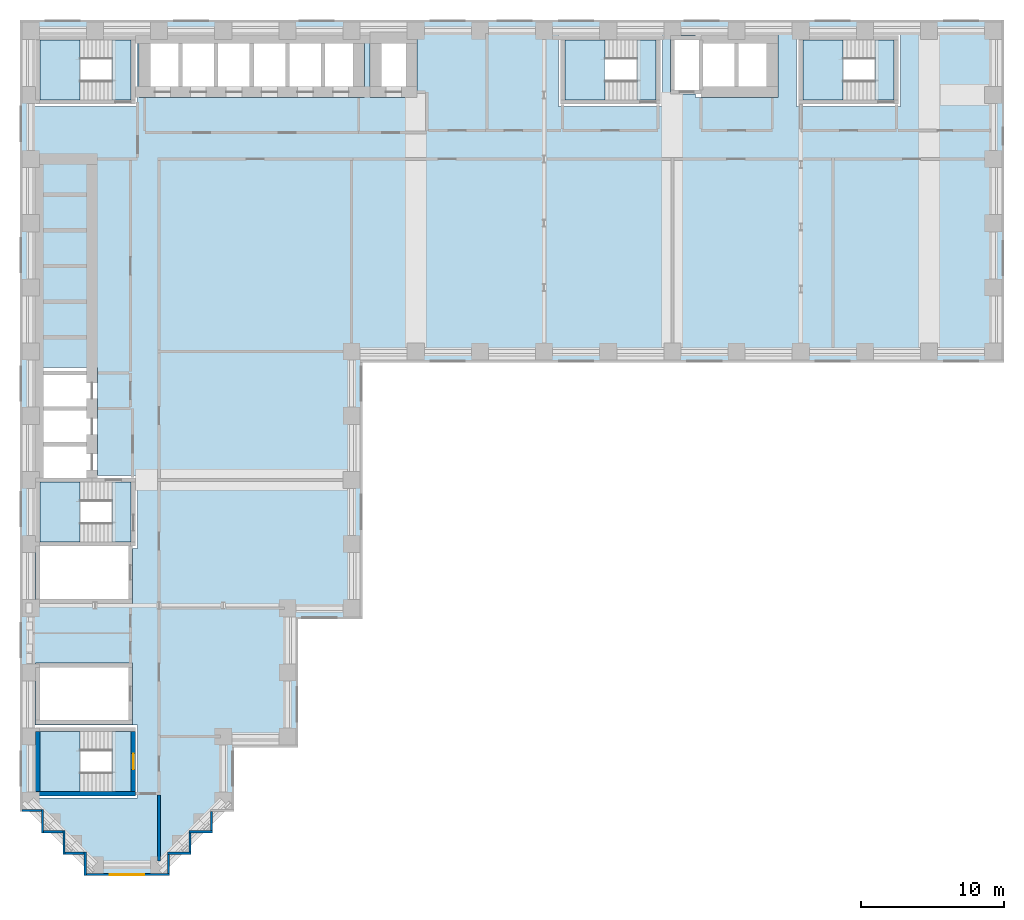
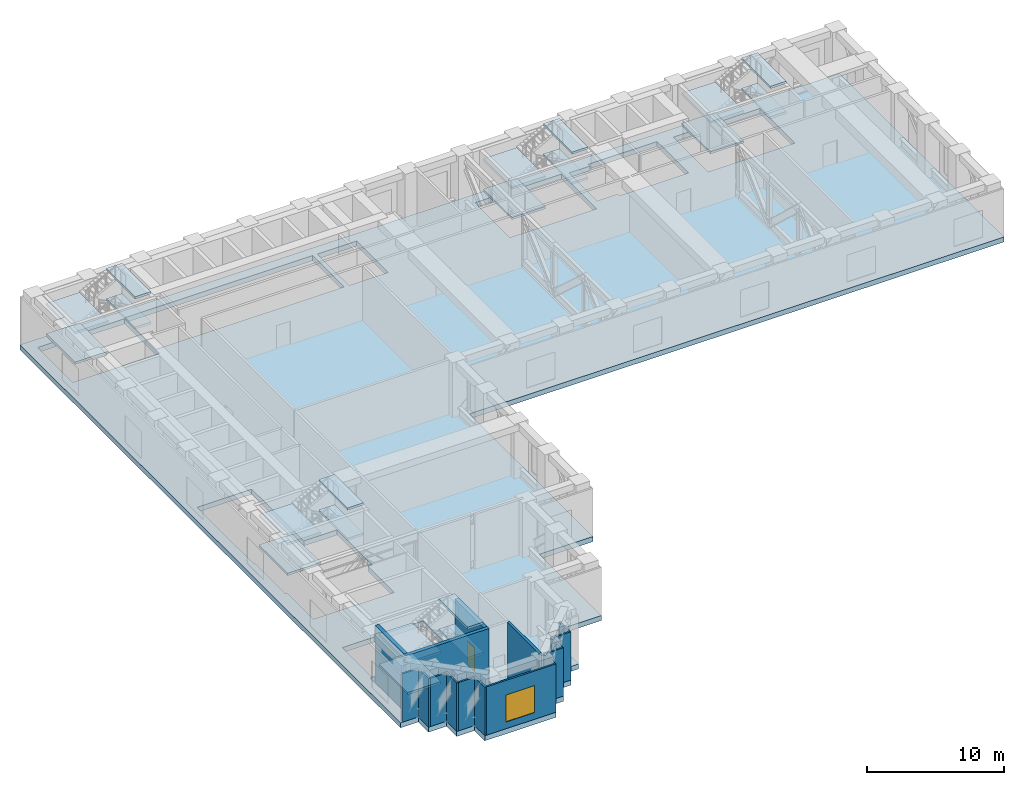
# One storey, part 4 of 13: 21 slabs, 16 walls, 1 door, 1 window, 2 openings, 5 elements without a shape of their own.
"""IFC4 building model written with IfcOpenShell, lengths in metres."""

from ifc_helpers import new_model, si_unit, direction, frame, frame_2d, origin, place, context, subcontext, project, spatial, polyline, rectangle, outline, extrude, material, layer, layer_set, type_object, element, fill, aggregate, save


model = new_model("IFC4")

# Units and contexts
model_context = context("Model", 3, precision=1e-05, world=origin(), true_north=direction((0.0, 1.0)))
body_context = subcontext(model_context, "Body", "Model", "MODEL_VIEW")
ifc_project = project(units=[si_unit("LENGTHUNIT", "METRE"), si_unit("AREAUNIT", "SQUARE_METRE"), si_unit("VOLUMEUNIT", "CUBIC_METRE"), si_unit("PLANEANGLEUNIT", "RADIAN"), si_unit("MASSUNIT", "GRAM", prefix="KILO")], contexts=[model_context])

# Site, building, storey
site_placement = place(None, origin())
site = spatial("IfcSite", under=ifc_project, at=site_placement, CompositionType="ELEMENT")
building_placement = place(site_placement, origin())
building = spatial("IfcBuilding", under=site, at=building_placement, Name="Firuza Court", CompositionType="ELEMENT")
storey_placement = place(building_placement, frame((0.0, 0.0, 108.199951171875)))
storey = spatial("IfcBuildingStorey", under=building, at=storey_placement, Name="L27", CompositionType="ELEMENT", Elevation=108.199951171875)

# Slab
ifc_material_1 = material(Name="Concrete C40/50", Category="concrete")
ifc_layer_1 = layer(ifc_material_1, 0.449951171875)
ifc_layer_set_1 = layer_set([ifc_layer_1], Name="Concrete C40/50")
slab_type_1 = type_object("IfcSlabType", Name="Floor slab 450 C40/50", PredefinedType="FLOOR", material=ifc_layer_set_1)
slab_1_placement = place(storey_placement, frame((0.0, 0.0, -0.449951171875)))
element("IfcSlab", 1, at=slab_1_placement, inside=storey, type_object=slab_type_1, Name="Floor slab L27", PredefinedType="FLOOR", context=body_context, shape_type="SweptSolid", body=[
    extrude(outline(polyline([(3.75, -0.75), (3.75, 0.75), (2.25, 0.75), (2.25, 2.25), (0.75, 2.25), (0.75, 3.75), (-0.75, 3.75), (-0.75, 59.25), (68.25, 59.25), (68.25, 35.25), (23.25, 35.25), (23.25, 17.25), (18.75, 17.25), (18.75, 8.25), (14.25, 8.25), (14.25, 3.75), (12.75, 3.75), (12.75, 2.25), (11.25, 2.25), (11.25, 0.75), (9.75, 0.75), (9.75, -0.75), (3.75, -0.75)]), holes=[polyline([(7.5, 9.800048828125), (0.199951171875, 9.800048828125), (0.199951171875, 4.699951171875), (7.5, 4.699951171875), (7.5, 9.800048828125)]), polyline([(7.14990234375, 14.14990234375), (0.35009765625, 14.14990234375), (0.35009765625, 9.85009765625), (7.14990234375, 9.85009765625), (7.14990234375, 14.14990234375)]), polyline([(0.199951171875, 22.199951171875), (0.35009765625, 22.199951171875), (0.35009765625, 18.35009765625), (7.14990234375, 18.35009765625), (7.14990234375, 22.199951171875), (7.5, 22.199951171875), (7.5, 27.300048828125), (4.699951171875, 27.300048828125), (4.699951171875, 29.10009765625), (4.699951171875, 29.89990234375), (4.699951171875, 31.60009765625), (4.699951171875, 32.39990234375), (4.699951171875, 34.89990234375), (0.10009765625, 34.89990234375), (0.10009765625, 32.39990234375), (0.10009765625, 31.60009765625), (0.10009765625, 29.89990234375), (0.10009765625, 29.10009765625), (0.10009765625, 26.60009765625), (0.199951171875, 26.60009765625), (0.199951171875, 22.199951171875)]), polyline([(7.5, 58.300048828125), (0.199951171875, 58.300048828125), (0.199951171875, 53.199951171875), (7.5, 53.199951171875), (7.5, 58.300048828125)]), polyline([(10.10009765625, 58.39990234375), (7.60009765625, 58.39990234375), (7.60009765625, 53.800048828125), (10.10009765625, 53.800048828125), (10.89990234375, 53.800048828125), (12.60009765625, 53.800048828125), (13.39990234375, 53.800048828125), (15.10009765625, 53.800048828125), (15.89990234375, 53.800048828125), (17.60009765625, 53.800048828125), (18.39990234375, 53.800048828125), (20.10009765625, 53.800048828125), (20.89990234375, 53.800048828125), (23.39990234375, 53.800048828125), (23.39990234375, 58.39990234375), (20.89990234375, 58.39990234375), (20.10009765625, 58.39990234375), (18.39990234375, 58.39990234375), (17.60009765625, 58.39990234375), (15.89990234375, 58.39990234375), (15.10009765625, 58.39990234375), (13.39990234375, 58.39990234375), (12.60009765625, 58.39990234375), (10.89990234375, 58.39990234375), (10.10009765625, 58.39990234375)]), polyline([(44.300048828125, 58.300048828125), (37.0, 58.300048828125), (37.0, 53.199951171875), (44.300048828125, 53.199951171875), (44.300048828125, 58.300048828125)]), polyline([(61.0, 58.300048828125), (53.699951171875, 58.300048828125), (53.699951171875, 53.199951171875), (61.0, 53.199951171875), (61.0, 58.300048828125)]), polyline([(27.10009765625, 58.39990234375), (23.800048828125, 58.39990234375), (23.800048828125, 53.800048828125), (27.10009765625, 53.800048828125), (27.10009765625, 58.39990234375)]), polyline([(46.60009765625, 58.14990234375), (44.85009765625, 58.14990234375), (44.85009765625, 54.050048828125), (46.60009765625, 54.050048828125), (46.60009765625, 53.800048828125), (49.10009765625, 53.800048828125), (49.89990234375, 53.800048828125), (52.39990234375, 53.800048828125), (52.39990234375, 58.39990234375), (49.89990234375, 58.39990234375), (49.10009765625, 58.39990234375), (46.60009765625, 58.39990234375), (46.60009765625, 58.14990234375)])]), origin(), (0.0, 0.0, 1.0), 0.449951171875),
])

# Stair, slabs
ifc_material_2 = material(Name="Concrete C40/50 precast", Category="concrete")
stair_type = type_object("IfcStairType", Name="Stair 1350 x 5400 4 flights", PredefinedType="QUARTER_TURN_STAIR", material=ifc_material_2)
stair_1_placement = place(storey_placement, origin())
stair_1 = element("IfcStair", 2, at=stair_1_placement, inside=storey, type_object=stair_type, Name="Stair 1 L27", PredefinedType="QUARTER_TURN_STAIR")
ifc_material_3 = material(Name="Concrete C40/50 precast", Category="concrete")
ifc_layer_2 = layer(ifc_material_3, 0.199951171875)
ifc_layer_set_2 = layer_set([ifc_layer_2], Name="Concrete C40/50 precast")
slab_type_2 = type_object("IfcSlabType", Name="Stair landing 200", PredefinedType="LANDING", material=ifc_layer_set_2)
slab_2_placement = place(storey_placement, frame((0.0, 0.0, 1.150146484375)))
slab_2 = element("IfcSlab", 3, at=slab_2_placement, type_object=slab_type_2, Name="S1 landing 1", PredefinedType="LANDING", context=body_context, shape_type="SweptSolid", body=[
    extrude(outline(polyline([(40.260009765625, 53.64990234375), (40.260009765625, 57.85009765625), (37.449951171875, 57.85009765625), (37.449951171875, 53.64990234375), (40.260009765625, 53.64990234375)])), origin(), (0.0, 0.0, 1.0), 0.199951171875),
])
slab_3_placement = place(storey_placement, frame((0.0, 0.0, 2.5)))
slab_3 = element("IfcSlab", 4, at=slab_3_placement, type_object=slab_type_2, Name="S1 landing 2", PredefinedType="LANDING", context=body_context, shape_type="SweptSolid", body=[
    extrude(outline(polyline([(43.85009765625, 53.64990234375), (43.85009765625, 57.85009765625), (42.5, 57.85009765625), (42.5, 53.64990234375), (43.85009765625, 53.64990234375)])), origin(), (0.0, 0.0, 1.0), 0.199951171875),
])
slab_4_placement = place(storey_placement, frame((0.0, 0.0, 3.85009765625)))
slab_4 = element("IfcSlab", 5, at=slab_4_placement, type_object=slab_type_2, Name="S1 landing 3", PredefinedType="LANDING", context=body_context, shape_type="SweptSolid", body=[
    extrude(outline(polyline([(40.260009765625, 53.64990234375), (40.260009765625, 57.85009765625), (37.449951171875, 57.85009765625), (37.449951171875, 53.64990234375), (40.260009765625, 53.64990234375)])), origin(), (0.0, 0.0, 1.0), 0.199951171875),
])
slab_5_placement = place(storey_placement, frame((0.0, 0.0, 5.199951171875)))
slab_5 = element("IfcSlab", 6, at=slab_5_placement, type_object=slab_type_2, Name="S1 landing 4", PredefinedType="LANDING", context=body_context, shape_type="SweptSolid", body=[
    extrude(outline(polyline([(43.85009765625, 53.64990234375), (43.85009765625, 57.85009765625), (42.5, 57.85009765625), (42.5, 53.64990234375), (43.85009765625, 53.64990234375)])), origin(), (0.0, 0.0, 1.0), 0.2001953125),
])
aggregate(stair_1, [slab_2, slab_3, slab_4, slab_5])

stair_2_placement = place(storey_placement, origin())
stair_2 = element("IfcStair", 7, at=stair_2_placement, inside=storey, type_object=stair_type, Name="Stair 2 L27", PredefinedType="QUARTER_TURN_STAIR")
slab_6_placement = place(storey_placement, frame((0.0, 0.0, 1.150146484375)))
slab_6 = element("IfcSlab", 8, at=slab_6_placement, type_object=slab_type_2, Name="S2 landing 1", PredefinedType="LANDING", context=body_context, shape_type="SweptSolid", body=[
    extrude(outline(polyline([(3.4599609375, 22.64990234375), (3.4599609375, 26.85009765625), (0.64990234375, 26.85009765625), (0.64990234375, 22.64990234375), (3.4599609375, 22.64990234375)])), origin(), (0.0, 0.0, 1.0), 0.199951171875),
])
slab_7_placement = place(storey_placement, frame((0.0, 0.0, 2.5)))
slab_7 = element("IfcSlab", 9, at=slab_7_placement, type_object=slab_type_2, Name="S2 landing 2", PredefinedType="LANDING", context=body_context, shape_type="SweptSolid", body=[
    extrude(outline(polyline([(7.050048828125, 22.64990234375), (7.050048828125, 26.85009765625), (5.699951171875, 26.85009765625), (5.699951171875, 22.64990234375), (7.050048828125, 22.64990234375)])), origin(), (0.0, 0.0, 1.0), 0.199951171875),
])
slab_8_placement = place(storey_placement, frame((0.0, 0.0, 3.85009765625)))
slab_8 = element("IfcSlab", 10, at=slab_8_placement, type_object=slab_type_2, Name="S2 landing 3", PredefinedType="LANDING", context=body_context, shape_type="SweptSolid", body=[
    extrude(outline(polyline([(3.4599609375, 22.64990234375), (3.4599609375, 26.85009765625), (0.64990234375, 26.85009765625), (0.64990234375, 22.64990234375), (3.4599609375, 22.64990234375)])), origin(), (0.0, 0.0, 1.0), 0.199951171875),
])
slab_9_placement = place(storey_placement, frame((0.0, 0.0, 5.199951171875)))
slab_9 = element("IfcSlab", 11, at=slab_9_placement, type_object=slab_type_2, Name="S2 landing 4", PredefinedType="LANDING", context=body_context, shape_type="SweptSolid", body=[
    extrude(outline(polyline([(7.050048828125, 22.64990234375), (7.050048828125, 26.85009765625), (5.699951171875, 26.85009765625), (5.699951171875, 22.64990234375), (7.050048828125, 22.64990234375)])), origin(), (0.0, 0.0, 1.0), 0.2001953125),
])
aggregate(stair_2, [slab_6, slab_7, slab_8, slab_9])

stair_3_placement = place(storey_placement, origin())
stair_3 = element("IfcStair", 12, at=stair_3_placement, inside=storey, type_object=stair_type, Name="Stair 3 L27", PredefinedType="QUARTER_TURN_STAIR")
slab_10_placement = place(storey_placement, frame((0.0, 0.0, 1.150146484375)))
slab_10 = element("IfcSlab", 13, at=slab_10_placement, type_object=slab_type_2, Name="S3 landing 1", PredefinedType="LANDING", context=body_context, shape_type="SweptSolid", body=[
    extrude(outline(polyline([(3.4599609375, 53.64990234375), (3.4599609375, 57.85009765625), (0.64990234375, 57.85009765625), (0.64990234375, 53.64990234375), (3.4599609375, 53.64990234375)])), origin(), (0.0, 0.0, 1.0), 0.199951171875),
])
slab_11_placement = place(storey_placement, frame((0.0, 0.0, 2.5)))
slab_11 = element("IfcSlab", 14, at=slab_11_placement, type_object=slab_type_2, Name="S3 landing 2", PredefinedType="LANDING", context=body_context, shape_type="SweptSolid", body=[
    extrude(outline(polyline([(7.050048828125, 53.64990234375), (7.050048828125, 57.85009765625), (5.699951171875, 57.85009765625), (5.699951171875, 53.64990234375), (7.050048828125, 53.64990234375)])), origin(), (0.0, 0.0, 1.0), 0.199951171875),
])
slab_12_placement = place(storey_placement, frame((0.0, 0.0, 3.85009765625)))
slab_12 = element("IfcSlab", 15, at=slab_12_placement, type_object=slab_type_2, Name="S3 landing 3", PredefinedType="LANDING", context=body_context, shape_type="SweptSolid", body=[
    extrude(outline(polyline([(3.4599609375, 53.64990234375), (3.4599609375, 57.85009765625), (0.64990234375, 57.85009765625), (0.64990234375, 53.64990234375), (3.4599609375, 53.64990234375)])), origin(), (0.0, 0.0, 1.0), 0.199951171875),
])
slab_13_placement = place(storey_placement, frame((0.0, 0.0, 5.199951171875)))
slab_13 = element("IfcSlab", 16, at=slab_13_placement, type_object=slab_type_2, Name="S3 landing 4", PredefinedType="LANDING", context=body_context, shape_type="SweptSolid", body=[
    extrude(outline(polyline([(7.050048828125, 53.64990234375), (7.050048828125, 57.85009765625), (5.699951171875, 57.85009765625), (5.699951171875, 53.64990234375), (7.050048828125, 53.64990234375)])), origin(), (0.0, 0.0, 1.0), 0.2001953125),
])
aggregate(stair_3, [slab_10, slab_11, slab_12, slab_13])

stair_4_placement = place(storey_placement, origin())
stair_4 = element("IfcStair", 17, at=stair_4_placement, inside=storey, type_object=stair_type, Name="Stair 4 L27", PredefinedType="QUARTER_TURN_STAIR")
slab_14_placement = place(storey_placement, frame((0.0, 0.0, 1.150146484375)))
slab_14 = element("IfcSlab", 18, at=slab_14_placement, type_object=slab_type_2, Name="S4 landing 1", PredefinedType="LANDING", context=body_context, shape_type="SweptSolid", body=[
    extrude(outline(polyline([(56.9599609375, 53.64990234375), (56.9599609375, 57.85009765625), (54.14990234375, 57.85009765625), (54.14990234375, 53.64990234375), (56.9599609375, 53.64990234375)])), origin(), (0.0, 0.0, 1.0), 0.199951171875),
])
slab_15_placement = place(storey_placement, frame((0.0, 0.0, 2.5)))
slab_15 = element("IfcSlab", 19, at=slab_15_placement, type_object=slab_type_2, Name="S4 landing 2", PredefinedType="LANDING", context=body_context, shape_type="SweptSolid", body=[
    extrude(outline(polyline([(60.550048828125, 53.64990234375), (60.550048828125, 57.85009765625), (59.199951171875, 57.85009765625), (59.199951171875, 53.64990234375), (60.550048828125, 53.64990234375)])), origin(), (0.0, 0.0, 1.0), 0.199951171875),
])
slab_16_placement = place(storey_placement, frame((0.0, 0.0, 3.85009765625)))
slab_16 = element("IfcSlab", 20, at=slab_16_placement, type_object=slab_type_2, Name="S4 landing 3", PredefinedType="LANDING", context=body_context, shape_type="SweptSolid", body=[
    extrude(outline(polyline([(56.9599609375, 53.64990234375), (56.9599609375, 57.85009765625), (54.14990234375, 57.85009765625), (54.14990234375, 53.64990234375), (56.9599609375, 53.64990234375)])), origin(), (0.0, 0.0, 1.0), 0.199951171875),
])
slab_17_placement = place(storey_placement, frame((0.0, 0.0, 5.199951171875)))
slab_17 = element("IfcSlab", 21, at=slab_17_placement, type_object=slab_type_2, Name="S4 landing 4", PredefinedType="LANDING", context=body_context, shape_type="SweptSolid", body=[
    extrude(outline(polyline([(60.550048828125, 53.64990234375), (60.550048828125, 57.85009765625), (59.199951171875, 57.85009765625), (59.199951171875, 53.64990234375), (60.550048828125, 53.64990234375)])), origin(), (0.0, 0.0, 1.0), 0.2001953125),
])
aggregate(stair_4, [slab_14, slab_15, slab_16, slab_17])

stair_5_placement = place(storey_placement, origin())
stair_5 = element("IfcStair", 22, at=stair_5_placement, inside=storey, type_object=stair_type, Name="Stair 5 L27", PredefinedType="QUARTER_TURN_STAIR")
slab_18_placement = place(storey_placement, frame((0.0, 0.0, 1.150146484375)))
slab_18 = element("IfcSlab", 23, at=slab_18_placement, type_object=slab_type_2, Name="S5 landing 1", PredefinedType="LANDING", context=body_context, shape_type="SweptSolid", body=[
    extrude(outline(polyline([(3.4599609375, 5.14990234375), (3.4599609375, 9.35009765625), (0.64990234375, 9.35009765625), (0.64990234375, 5.14990234375), (3.4599609375, 5.14990234375)])), origin(), (0.0, 0.0, 1.0), 0.199951171875),
])
slab_19_placement = place(storey_placement, frame((0.0, 0.0, 2.5)))
slab_19 = element("IfcSlab", 24, at=slab_19_placement, type_object=slab_type_2, Name="S5 landing 2", PredefinedType="LANDING", context=body_context, shape_type="SweptSolid", body=[
    extrude(outline(polyline([(7.050048828125, 5.14990234375), (7.050048828125, 9.35009765625), (5.699951171875, 9.35009765625), (5.699951171875, 5.14990234375), (7.050048828125, 5.14990234375)])), origin(), (0.0, 0.0, 1.0), 0.199951171875),
])
slab_20_placement = place(storey_placement, frame((0.0, 0.0, 3.85009765625)))
slab_20 = element("IfcSlab", 25, at=slab_20_placement, type_object=slab_type_2, Name="S5 landing 3", PredefinedType="LANDING", context=body_context, shape_type="SweptSolid", body=[
    extrude(outline(polyline([(3.4599609375, 5.14990234375), (3.4599609375, 9.35009765625), (0.64990234375, 9.35009765625), (0.64990234375, 5.14990234375), (3.4599609375, 5.14990234375)])), origin(), (0.0, 0.0, 1.0), 0.199951171875),
])
slab_21_placement = place(storey_placement, frame((0.0, 0.0, 5.199951171875)))
slab_21 = element("IfcSlab", 26, at=slab_21_placement, type_object=slab_type_2, Name="S5 landing 4", PredefinedType="LANDING", context=body_context, shape_type="SweptSolid", body=[
    extrude(outline(polyline([(7.050048828125, 5.14990234375), (7.050048828125, 9.35009765625), (5.699951171875, 9.35009765625), (5.699951171875, 5.14990234375), (7.050048828125, 5.14990234375)])), origin(), (0.0, 0.0, 1.0), 0.2001953125),
])
aggregate(stair_5, [slab_18, slab_19, slab_20, slab_21])

# Walls
ifc_material_4 = material(Name="Concrete C60/75", Category="concrete")
ifc_layer_3 = layer(ifc_material_4, 0.300048828125)
ifc_layer_set_3 = layer_set([ifc_layer_3], Name="Concrete C60/75")
wall_type_1 = type_object("IfcWallType", Name="Core wall 300 C60/75", PredefinedType="SHEAR", material=ifc_layer_set_3)
wall_1_placement = place(storey_placement, frame((0.35009765625, 5.0, -0.449951171875), z_axis=(0.0, 0.0, 1.0), x_axis=(1.0, 0.0, 0.0)))
element("IfcWall", 27, at=wall_1_placement, inside=storey, type_object=wall_type_1, Name="Core wall stair L27", PredefinedType="SHEAR", context=body_context, shape_type="SweptSolid", body=[
    extrude(rectangle(XDim=7.0, YDim=0.300048828125, at=frame_2d((3.5, 0.0))), origin(), (0.0, 0.0, 1.0), 5.35009765625),
])
wall_2_placement = place(storey_placement, frame((0.5, 5.14990234375, -0.449951171875), z_axis=(0.0, 0.0, 1.0), x_axis=(0.0, 1.0, 0.0)))
element("IfcWall", 28, at=wall_2_placement, inside=storey, type_object=wall_type_1, Name="Core wall stair L27", PredefinedType="SHEAR", context=body_context, shape_type="SweptSolid", body=[
    extrude(rectangle(XDim=4.2001953125, YDim=0.300048828125, at=frame_2d((2.10009765625, 0.0))), origin(), (0.0, 0.0, 1.0), 5.35009765625),
])

# Wall, opening, door
wall_3_placement = place(storey_placement, frame((7.199951171875, 5.14990234375, -0.449951171875), z_axis=(0.0, 0.0, 1.0), x_axis=(0.0, 1.0, 0.0)))
wall_3 = element("IfcWall", 29, at=wall_3_placement, inside=storey, type_object=wall_type_1, Name="Core wall stair L27", PredefinedType="SHEAR", context=body_context, shape_type="SweptSolid", body=[
    extrude(rectangle(XDim=4.2001953125, YDim=0.300048828125, at=frame_2d((2.10009765625, 0.0))), origin(), (0.0, 0.0, 1.0), 5.35009765625),
])
opening_1_placement = place(wall_3_placement, frame((1.550048828125, 0.0, 0.449951171875)))
opening_1 = element("IfcOpeningElement", 30, at=opening_1_placement, cuts=wall_3, Name="Opening D27018", PredefinedType="OPENING", context=body_context, shape_type="SweptSolid", body=[
    extrude(rectangle(XDim=1.10009765625, YDim=2.10009765625, at=frame_2d((0.550048828125, 1.050048828125))), frame((0.0, 0.162109375, 0.0), z_axis=(0.0, -1.0, 0.0), x_axis=(1.0, 0.0, 0.0)), (0.0, 0.0, 1.0), 0.323974609375),
])
ifc_material_5 = material(Name="Timber door leaf in hardwood frame", Category="wood")
door_type = type_object("IfcDoorType", Name="Stair door 1100", OperationType="SINGLE_SWING_LEFT", PredefinedType="DOOR", material=ifc_material_5)
door_placement = place(opening_1_placement, origin())
door = element("IfcDoor", 31, at=door_placement, inside=storey, type_object=door_type, Name="Stair door S5", OperationType="SINGLE_SWING_LEFT", OverallHeight=2.10009765625, OverallWidth=1.10009765625, PredefinedType="DOOR", context=body_context, shape_type="SweptSolid", body=[
    extrude(rectangle(XDim=1.10009765625, YDim=2.10009765625, at=frame_2d((0.550048828125, 1.050048828125))), frame((0.0, 0.02490234375, 0.0), z_axis=(0.0, -1.0, 0.0), x_axis=(1.0, 0.0, 0.0)), (0.0, 0.0, 1.0), 0.050048828125),
])
fill(opening_1, door)

# Walls
ifc_material_6 = material(Name="Blockwork, fire-rated", Category="masonry")
ifc_layer_4 = layer(ifc_material_6, 0.199951171875)
ifc_layer_set_4 = layer_set([ifc_layer_4], Name="Blockwork, fire-rated")
wall_type_2 = type_object("IfcWallType", Name="Plant room wall 200", PredefinedType="PARTITIONING", material=ifc_layer_set_4)
wall_4_placement = place(storey_placement, frame((9.0, 0.270751953125, 0.0), z_axis=(0.0, 0.0, 1.0), x_axis=(0.0, 1.0, 0.0)))
element("IfcWall", 32, at=wall_4_placement, inside=storey, type_object=wall_type_2, Name="Plant room wall 200 L27", PredefinedType="PARTITIONING", context=body_context, shape_type="SweptSolid", body=[
    extrude(rectangle(XDim=4.629150390625, YDim=0.199951171875, at=frame_2d((2.314453125, 0.0))), origin(), (0.0, 0.0, 1.0), 4.900146484375),
])
ifc_material_7 = material(Name="Ceramic tile", Category="ceramic")
ifc_layer_5 = layer(ifc_material_7, 0.02001953125)
ifc_material_8 = material(Name="Mineral wool insulation", Category="insulation")
ifc_layer_6 = layer(ifc_material_8, 0.050048828125)
ifc_layer_7 = layer(ifc_material_3, 0.080078125)
ifc_layer_set_5 = layer_set([ifc_layer_5, ifc_layer_6, ifc_layer_7], Name="Concrete C40/50 precast")
wall_type_3 = type_object("IfcWallType", Name="Precast cladding wall with turquoise TILE PANEL face 150", PredefinedType="STANDARD", material=ifc_layer_set_5)
wall_5_placement = place(storey_placement, frame((9.675048828125, -0.60009765625, 0.0), z_axis=(0.0, 0.0, 1.0), x_axis=(0.0, 1.0, 0.0)))
element("IfcWall", 33, at=wall_5_placement, inside=storey, type_object=wall_type_3, Name="Facade wall L27 E", PredefinedType="STANDARD", context=body_context, shape_type="SweptSolid", body=[
    extrude(rectangle(XDim=1.35009765625, YDim=0.14990234375, at=frame_2d((0.675048828125, 0.0))), origin(), (0.0, 0.0, 1.0), 4.300048828125),
])
wall_6_placement = place(storey_placement, frame((9.60009765625, 0.824951171875, 0.0), z_axis=(0.0, 0.0, 1.0), x_axis=(1.0, 0.0, 0.0)))
element("IfcWall", 34, at=wall_6_placement, inside=storey, type_object=wall_type_3, Name="Facade wall L27 S", PredefinedType="STANDARD", context=body_context, shape_type="SweptSolid", body=[
    extrude(rectangle(XDim=1.64990234375, YDim=0.14990234375, at=frame_2d((0.824951171875, 0.0))), origin(), (0.0, 0.0, 1.0), 4.300048828125),
])
wall_7_placement = place(storey_placement, frame((11.175048828125, 0.89990234375, 0.0), z_axis=(0.0, 0.0, 1.0), x_axis=(0.0, 1.0, 0.0)))
element("IfcWall", 35, at=wall_7_placement, inside=storey, type_object=wall_type_3, Name="Facade wall L27 E", PredefinedType="STANDARD", context=body_context, shape_type="SweptSolid", body=[
    extrude(rectangle(XDim=1.35009765625, YDim=0.14990234375, at=frame_2d((0.675048828125, 0.0))), origin(), (0.0, 0.0, 1.0), 4.300048828125),
])
wall_8_placement = place(storey_placement, frame((11.10009765625, 2.324951171875, 0.0), z_axis=(0.0, 0.0, 1.0), x_axis=(1.0, 0.0, 0.0)))
element("IfcWall", 36, at=wall_8_placement, inside=storey, type_object=wall_type_3, Name="Facade wall L27 S", PredefinedType="STANDARD", context=body_context, shape_type="SweptSolid", body=[
    extrude(rectangle(XDim=1.64990234375, YDim=0.14990234375, at=frame_2d((0.824951171875, 0.0))), origin(), (0.0, 0.0, 1.0), 4.300048828125),
])
for number, where, z_axis, x_axis, name in (
    (37, (12.675048828125, 2.39990234375, 0.0), (0.0, 0.0, 1.0), (0.0, 1.0, 0.0), "Facade wall L27 E"),
    (38, (-0.60009765625, 3.824951171875, 0.0), (0.0, 0.0, 1.0), (1.0, 0.0, 0.0), "Facade wall L27 S"),
):
    element("IfcWall", number, at=place(storey_placement, frame(where, z_axis=z_axis, x_axis=x_axis)), inside=storey, type_object=wall_type_3, Name=name, PredefinedType="STANDARD", context=body_context, shape_type="SweptSolid", body=[
        extrude(rectangle(XDim=1.35009765625, YDim=0.14990234375, at=frame_2d((0.675048828125, 0.0))), origin(), (0.0, 0.0, 1.0), 4.300048828125),
    ])
wall_9_placement = place(storey_placement, frame((0.824951171875, 3.89990234375, 0.0), z_axis=(0.0, 0.0, 1.0), x_axis=(0.0, -1.0, 0.0)))
element("IfcWall", 39, at=wall_9_placement, inside=storey, type_object=wall_type_3, Name="Facade wall L27 W", PredefinedType="STANDARD", context=body_context, shape_type="SweptSolid", body=[
    extrude(rectangle(XDim=1.64990234375, YDim=0.14990234375, at=frame_2d((0.824951171875, 0.0))), origin(), (0.0, 0.0, 1.0), 4.300048828125),
])
wall_10_placement = place(storey_placement, frame((0.89990234375, 2.324951171875, 0.0), z_axis=(0.0, 0.0, 1.0), x_axis=(1.0, 0.0, 0.0)))
element("IfcWall", 40, at=wall_10_placement, inside=storey, type_object=wall_type_3, Name="Facade wall L27 S", PredefinedType="STANDARD", context=body_context, shape_type="SweptSolid", body=[
    extrude(rectangle(XDim=1.35009765625, YDim=0.14990234375, at=frame_2d((0.675048828125, 0.0))), origin(), (0.0, 0.0, 1.0), 4.300048828125),
])
wall_11_placement = place(storey_placement, frame((2.324951171875, 2.39990234375, 0.0), z_axis=(0.0, 0.0, 1.0), x_axis=(0.0, -1.0, 0.0)))
element("IfcWall", 41, at=wall_11_placement, inside=storey, type_object=wall_type_3, Name="Facade wall L27 W", PredefinedType="STANDARD", context=body_context, shape_type="SweptSolid", body=[
    extrude(rectangle(XDim=1.64990234375, YDim=0.14990234375, at=frame_2d((0.824951171875, 0.0))), origin(), (0.0, 0.0, 1.0), 4.300048828125),
])
wall_12_placement = place(storey_placement, frame((2.39990234375, 0.824951171875, 0.0), z_axis=(0.0, 0.0, 1.0), x_axis=(1.0, 0.0, 0.0)))
element("IfcWall", 42, at=wall_12_placement, inside=storey, type_object=wall_type_3, Name="Facade wall L27 S", PredefinedType="STANDARD", context=body_context, shape_type="SweptSolid", body=[
    extrude(rectangle(XDim=1.35009765625, YDim=0.14990234375, at=frame_2d((0.675048828125, 0.0))), origin(), (0.0, 0.0, 1.0), 4.300048828125),
])
wall_13_placement = place(storey_placement, frame((3.824951171875, 0.89990234375, 0.0), z_axis=(0.0, 0.0, 1.0), x_axis=(0.0, -1.0, 0.0)))
element("IfcWall", 43, at=wall_13_placement, inside=storey, type_object=wall_type_3, Name="Facade wall L27 W", PredefinedType="STANDARD", context=body_context, shape_type="SweptSolid", body=[
    extrude(rectangle(XDim=1.64990234375, YDim=0.14990234375, at=frame_2d((0.824951171875, 0.0))), origin(), (0.0, 0.0, 1.0), 4.300048828125),
])

# Wall, opening, window
wall_14_placement = place(storey_placement, frame((3.89990234375, -0.675048828125, 0.0), z_axis=(0.0, 0.0, 1.0), x_axis=(1.0, 0.0, 0.0)))
wall_14 = element("IfcWall", 44, at=wall_14_placement, inside=storey, type_object=wall_type_3, Name="Facade wall L27 S", PredefinedType="STANDARD", context=body_context, shape_type="SweptSolid", body=[
    extrude(rectangle(XDim=5.85009765625, YDim=0.14990234375, at=frame_2d((2.925048828125, 0.0))), origin(), (0.0, 0.0, 1.0), 4.300048828125),
])
opening_2_placement = place(wall_14_placement, frame((1.64990234375, 0.0, 0.60009765625)))
opening_2 = element("IfcOpeningElement", 45, at=opening_2_placement, cuts=wall_14, Name="Opening LV2", PredefinedType="OPENING", context=body_context, shape_type="SweptSolid", body=[
    extrude(rectangle(XDim=2.39990234375, YDim=2.39990234375, at=frame_2d((1.199951171875, 1.199951171875))), frame((0.0, 0.0869140625, 0.0), z_axis=(0.0, -1.0, 0.0), x_axis=(1.0, 0.0, 0.0)), (0.0, 0.0, 1.0), 0.173828125),
])
ifc_material_9 = material(Name="Aluminium weather louvre with insect mesh", Category="aluminium")
window_type = type_object("IfcWindowType", Name="Plant louvre 2400 x 2400", PartitioningType="SINGLE_PANEL", PredefinedType="USERDEFINED", material=ifc_material_9)
window_placement = place(opening_2_placement, origin())
window = element("IfcWindow", 46, at=window_placement, inside=storey, type_object=window_type, Name="Louvre L27", ObjectType="LOUVRE", OverallHeight=2.39990234375, OverallWidth=2.39990234375, PartitioningType="SINGLE_PANEL", PredefinedType="USERDEFINED", context=body_context, shape_type="SweptSolid", body=[
    extrude(rectangle(XDim=2.39990234375, YDim=2.39990234375, at=frame_2d((1.199951171875, 1.199951171875))), frame((0.0, 0.030029296875, 0.0), z_axis=(0.0, -1.0, 0.0), x_axis=(1.0, 0.0, 0.0)), (0.0, 0.0, 1.0), 0.06005859375),
])
fill(opening_2, window)

save(model, "model.ifc")
